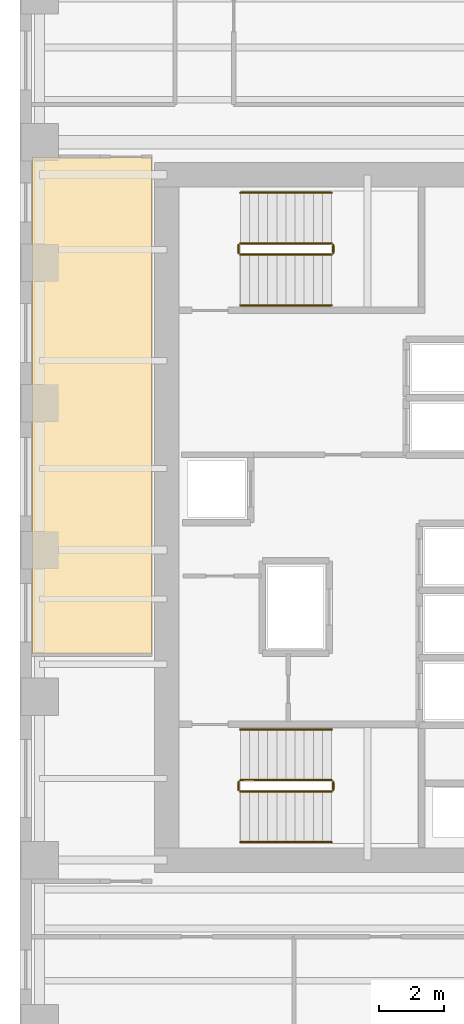
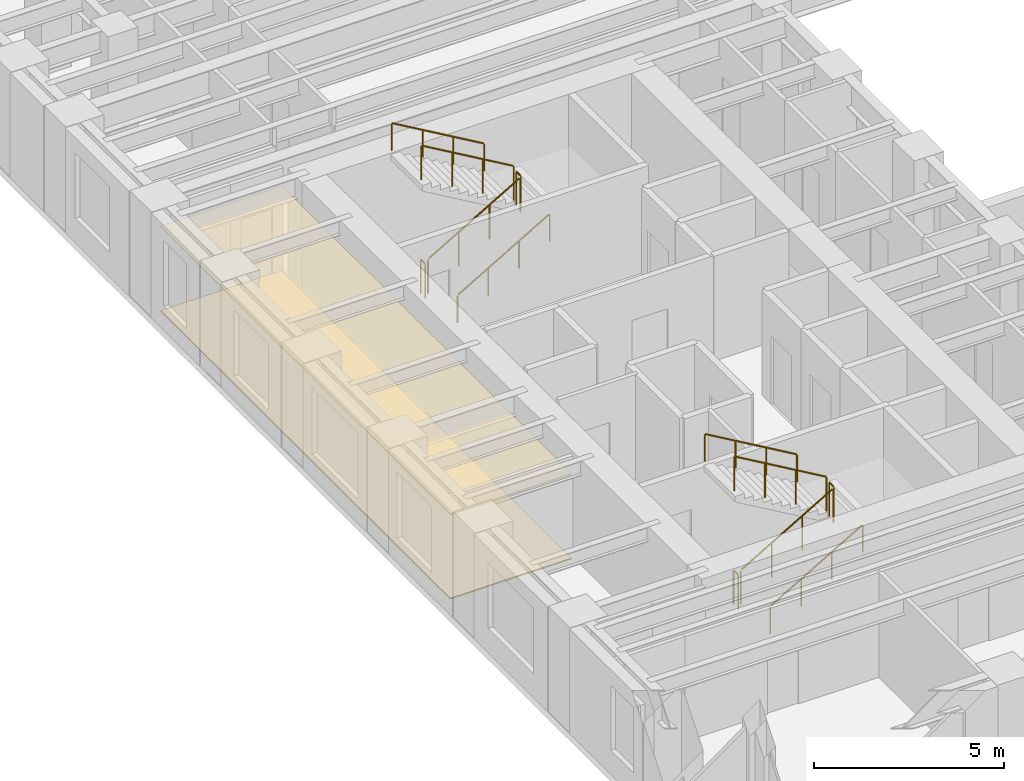
# One storey, part 12 of 13: 12 railings, 2 coverings.
"""IFC4 building model written with IfcOpenShell, lengths in metres."""

from ifc_helpers import new_model, si_unit, direction, frame, origin, origin_2d, place, context, subcontext, project, spatial, polyline, circle, outline, extrude, source, transform, mapped, material, layer, layer_set, type_object, element, save


model = new_model("IFC4")

# Units and contexts
model_context = context("Model", 3, precision=1e-05, world=origin(), true_north=direction((0.0, 1.0)))
body_context = subcontext(model_context, "Body", "Model", "MODEL_VIEW")
ifc_project = project(units=[si_unit("LENGTHUNIT", "METRE"), si_unit("AREAUNIT", "SQUARE_METRE"), si_unit("VOLUMEUNIT", "CUBIC_METRE"), si_unit("PLANEANGLEUNIT", "RADIAN"), si_unit("MASSUNIT", "GRAM", prefix="KILO")], contexts=[model_context])

# Site, building, storey
site_placement = place(None, origin())
site = spatial("IfcSite", under=ifc_project, at=site_placement, CompositionType="ELEMENT")
building_placement = place(site_placement, origin())
building = spatial("IfcBuilding", under=site, at=building_placement, Name="Kharzan Plaza Tower", CompositionType="ELEMENT")
storey_placement = place(building_placement, frame((0.0, 0.0, 95.39990234375)))
storey = spatial("IfcBuildingStorey", under=building, at=storey_placement, Name="L25", CompositionType="ELEMENT", Elevation=95.39990234375)

# Coverings
ifc_material_1 = material(Name="Perforated Acoustic Mineral-Fibre Tile", Category="gypsum")
ifc_layer_1 = layer(ifc_material_1, 0.044921875)
ifc_layer_set_1 = layer_set([ifc_layer_1], Name="Perforated Acoustic Mineral-Fibre Tile")
covering_type_1 = type_object("IfcCoveringType", Name="COV-CEIL-ACT", PredefinedType="CEILING", material=ifc_layer_set_1)
covering_1_placement = place(storey_placement, frame((0.0, 0.0, 2.705078125)))
element("IfcCovering", 1, at=covering_1_placement, inside=storey, type_object=covering_type_1, Name="L25 Suspended Acoustic Ceiling RW2", PredefinedType="CEILING", context=body_context, shape_type="SweptSolid", body=[
    extrude(outline(polyline([(0.360107421875, 14.81005859375), (4.0400390625, 14.81005859375), (4.0400390625, 30.0400390625), (0.360107421875, 30.0400390625), (0.360107421875, 14.81005859375)])), origin(), (0.0, 0.0, 1.0), 0.044921875),
])
ifc_material_2 = material(Name="Honed Najran Granite Terrazzo", Category="masonry")
ifc_layer_2 = layer(ifc_material_2, 0.0400390625)
ifc_layer_set_2 = layer_set([ifc_layer_2], Name="Honed Najran Granite Terrazzo")
covering_type_2 = type_object("IfcCoveringType", Name="COV-FLOOR-STN", PredefinedType="FLOORING", material=ifc_layer_set_2)
covering_2_placement = place(storey_placement, origin())
element("IfcCovering", 2, at=covering_2_placement, inside=storey, type_object=covering_type_2, Name="L25 Honed Granite Terrazzo Flooring RW2", PredefinedType="FLOORING", context=body_context, shape_type="SweptSolid", body=[
    extrude(outline(polyline([(0.360107421875, 14.81005859375), (4.0400390625, 14.81005859375), (4.0400390625, 30.0400390625), (0.360107421875, 30.0400390625), (0.360107421875, 14.81005859375)])), origin(), (0.0, 0.0, 1.0), 0.0400390625),
])

# Railings
ifc_material_3 = material(Name="Painted Galvanized Architectural Steel", Category="steel")
ifc_layer_3 = layer(ifc_material_3, 0.074951171875)
ifc_layer_set_3 = layer_set([ifc_layer_3], Name="Painted Galvanized Architectural Steel")
railing_type_1 = type_object("IfcRailingType", Name="RL-GUARD-1120", PredefinedType="BALUSTRADE", material=ifc_layer_set_3)
shared_shape_1 = source(origin(), body_context, "Body", "SweptSolid", [
    extrude(circle(Radius=0.02392578125, at=origin_2d()), frame((0.0, 0.0263671875, 1.09619140625), z_axis=(0.0, 1.0, 0.0), x_axis=(-1.0, 0.0, 0.0)), (0.0, 0.0, 1.0), 0.197021484375),
    extrude(circle(Radius=0.02099609375, at=origin_2d()), origin(), (0.0, 0.0, 1.0), 1.072021484375),
    extrude(circle(Radius=0.02099609375, at=origin_2d()), frame((0.0, 0.25, 0.0)), (0.0, 0.0, 1.0), 1.072021484375),
])
for number, where, name in (
    (3, (9.60009765625, 10.64990234375, 1.800048828125), "L25 ST-1 stair guard 2"),
    (4, (6.699951171875, 10.64990234375, 0.0), "L25 ST-1 stair guard 4"),
    (5, (9.60009765625, 27.10009765625, 1.800048828125), "L25 ST-2 stair guard 2"),
    (6, (6.699951171875, 27.10009765625, 0.0), "L25 ST-2 stair guard 4"),
):
    element("IfcRailing", number, at=place(storey_placement, frame(where)), inside=storey, type_object=railing_type_1, Name=name, PredefinedType="BALUSTRADE", context=body_context, shape_type="MappedRepresentation", body=[
        mapped(shared_shape_1, transform((0.0, 0.0, 0.0), x_axis=(1.0, 0.0, 0.0), y_axis=(0.0, 1.0, 0.0), z_axis=(0.0, 0.0, 1.0))),
    ])
shared_shape_2 = source(origin(), body_context, "Body", "SweptSolid", [
    extrude(circle(Radius=0.02392578125, at=origin_2d()), frame((-0.02294921875, 0.0, 1.109375), z_axis=(-0.863360870873, 0.0, 0.504586966384), x_axis=(0.0, -1.0, 0.0)), (0.0, 0.0, 1.0), 3.190185546875),
    extrude(circle(Radius=0.02099609375, at=origin_2d()), origin(), (0.0, 0.0, 1.0), 1.072021484375),
    extrude(circle(Radius=0.02099609375, at=origin_2d()), frame((-0.933349609375, 0.0, 0.54541015625)), (0.0, 0.0, 1.0), 1.072021484375),
    extrude(circle(Radius=0.02099609375, at=origin_2d()), frame((-1.86669921875, 0.0, 1.091064453125)), (0.0, 0.0, 1.0), 1.072021484375),
    extrude(circle(Radius=0.02099609375, at=origin_2d()), frame((-2.800048828125, 0.0, 1.636474609375)), (0.0, 0.0, 1.0), 1.072021484375),
])
for number, where, name in (
    (7, (9.550048828125, 10.949951171875, 1.963623046875), "L25 ST-1 stair guard 3"),
    (8, (9.550048828125, 27.39990234375, 1.963623046875), "L25 ST-2 stair guard 3"),
):
    element("IfcRailing", number, at=place(storey_placement, frame(where)), inside=storey, type_object=railing_type_1, Name=name, PredefinedType="BALUSTRADE", context=body_context, shape_type="MappedRepresentation", body=[
        mapped(shared_shape_2, transform((0.0, 0.0, 0.0), x_axis=(1.0, 0.0, 0.0), y_axis=(0.0, 1.0, 0.0), z_axis=(0.0, 0.0, 1.0))),
    ])
ifc_material_4 = material(Name="Brushed Stainless Steel", Category="steel")
ifc_layer_4 = layer(ifc_material_4, 0.050048828125)
ifc_layer_set_4 = layer_set([ifc_layer_4], Name="Brushed Stainless Steel")
railing_type_2 = type_object("IfcRailingType", Name="RL-STAIR-HR920", PredefinedType="HANDRAIL", material=ifc_layer_set_4)
shared_shape_3 = source(origin(), body_context, "Body", "SweptSolid", [
    extrude(circle(Radius=0.02392578125, at=origin_2d()), frame((-0.02294921875, 0.0, 0.88916015625), z_axis=(-0.863360870873, 0.0, 0.504586966384), x_axis=(0.0, -1.0, 0.0)), (0.0, 0.0, 1.0), 3.190185546875),
    extrude(circle(Radius=0.02099609375, at=origin_2d()), origin(), (0.0, 0.0, 1.0), 0.851806640625),
    extrude(circle(Radius=0.02099609375, at=origin_2d()), frame((-0.933349609375, 0.0, 0.54541015625)), (0.0, 0.0, 1.0), 0.851806640625),
    extrude(circle(Radius=0.02099609375, at=origin_2d()), frame((-1.86669921875, 0.0, 1.091064453125)), (0.0, 0.0, 1.0), 0.851806640625),
    extrude(circle(Radius=0.02099609375, at=origin_2d()), frame((-2.800048828125, 0.0, 1.636474609375)), (0.0, 0.0, 1.0), 0.851806640625),
])
for number, where, name in (
    (9, (9.550048828125, 12.5, 1.963623046875), "L25 ST-1 stair handrail 2"),
    (10, (9.550048828125, 28.949951171875, 1.963623046875), "L25 ST-2 stair handrail 2"),
):
    element("IfcRailing", number, at=place(storey_placement, frame(where)), inside=storey, type_object=railing_type_2, Name=name, PredefinedType="HANDRAIL", context=body_context, shape_type="MappedRepresentation", body=[
        mapped(shared_shape_3, transform((0.0, 0.0, 0.0), x_axis=(1.0, 0.0, 0.0), y_axis=(0.0, 1.0, 0.0), z_axis=(0.0, 0.0, 1.0))),
    ])
shared_shape_4 = source(origin(), body_context, "Body", "SweptSolid", [
    extrude(circle(Radius=0.02392578125, at=origin_2d()), frame((0.02294921875, 0.0, 1.109375), z_axis=(0.863393664356, 0.0, 0.504530851732), x_axis=(0.0, 1.0, 0.0)), (0.0, 0.0, 1.0), 3.190185546875),
    extrude(circle(Radius=0.02099609375, at=origin_2d()), origin(), (0.0, 0.0, 1.0), 1.072021484375),
    extrude(circle(Radius=0.02099609375, at=origin_2d()), frame((0.933349609375, 0.0, 0.54541015625)), (0.0, 0.0, 1.0), 1.072021484375),
    extrude(circle(Radius=0.02099609375, at=origin_2d()), frame((1.86669921875, 0.0, 1.0908203125)), (0.0, 0.0, 1.0), 1.072021484375),
    extrude(circle(Radius=0.02099609375, at=origin_2d()), frame((2.800048828125, 0.0, 1.63623046875)), (0.0, 0.0, 1.0), 1.072021484375),
])
for number, where, name in (
    (11, (6.75, 10.60009765625, 0.163818359375), "L25 ST-1 stair guard 1"),
    (12, (6.75, 27.050048828125, 0.163818359375), "L25 ST-2 stair guard 1"),
):
    element("IfcRailing", number, at=place(storey_placement, frame(where)), inside=storey, type_object=railing_type_1, Name=name, PredefinedType="BALUSTRADE", context=body_context, shape_type="MappedRepresentation", body=[
        mapped(shared_shape_4, transform((0.0, 0.0, 0.0), x_axis=(1.0, 0.0, 0.0), y_axis=(0.0, 1.0, 0.0), z_axis=(0.0, 0.0, 1.0))),
    ])
shared_shape_5 = source(origin(), body_context, "Body", "SweptSolid", [
    extrude(circle(Radius=0.02392578125, at=origin_2d()), frame((0.02294921875, 0.0, 0.88916015625), z_axis=(0.863393664356, 0.0, 0.504530851732), x_axis=(0.0, 1.0, 0.0)), (0.0, 0.0, 1.0), 3.190185546875),
    extrude(circle(Radius=0.02099609375, at=origin_2d()), origin(), (0.0, 0.0, 1.0), 0.851806640625),
    extrude(circle(Radius=0.02099609375, at=origin_2d()), frame((0.933349609375, 0.0, 0.54541015625)), (0.0, 0.0, 1.0), 0.851806640625),
    extrude(circle(Radius=0.02099609375, at=origin_2d()), frame((1.86669921875, 0.0, 1.0908203125)), (0.0, 0.0, 1.0), 0.851806640625),
    extrude(circle(Radius=0.02099609375, at=origin_2d()), frame((2.800048828125, 0.0, 1.63623046875)), (0.0, 0.0, 1.0), 0.851806640625),
])
for number, where, name in (
    (13, (6.75, 9.050048828125, 0.163818359375), "L25 ST-1 stair handrail 1"),
    (14, (6.75, 25.5, 0.163818359375), "L25 ST-2 stair handrail 1"),
):
    element("IfcRailing", number, at=place(storey_placement, frame(where)), inside=storey, type_object=railing_type_2, Name=name, PredefinedType="HANDRAIL", context=body_context, shape_type="MappedRepresentation", body=[
        mapped(shared_shape_5, transform((0.0, 0.0, 0.0), x_axis=(1.0, 0.0, 0.0), y_axis=(0.0, 1.0, 0.0), z_axis=(0.0, 0.0, 1.0))),
    ])

save(model, "model.ifc")
